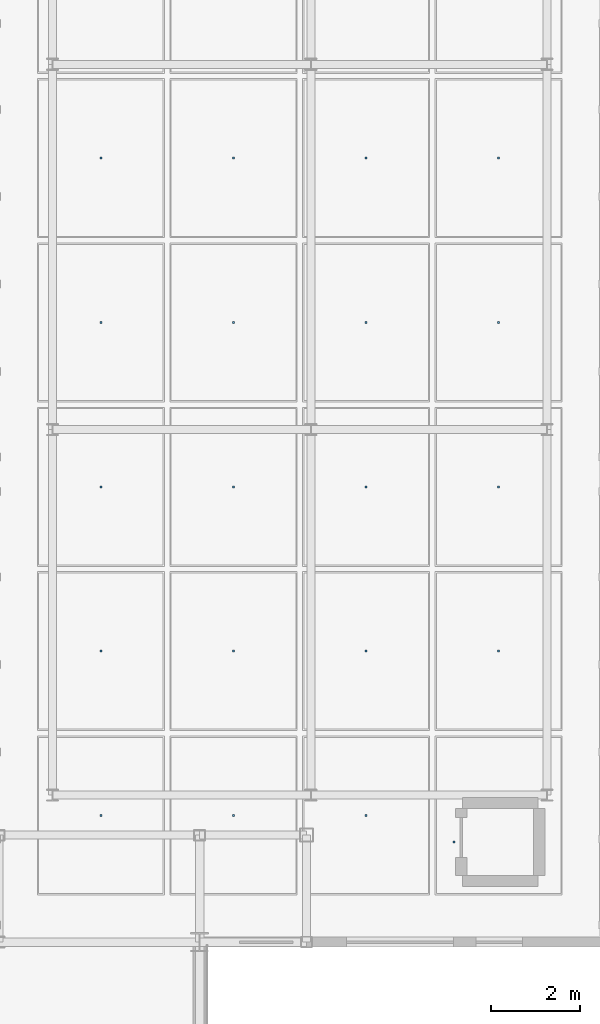
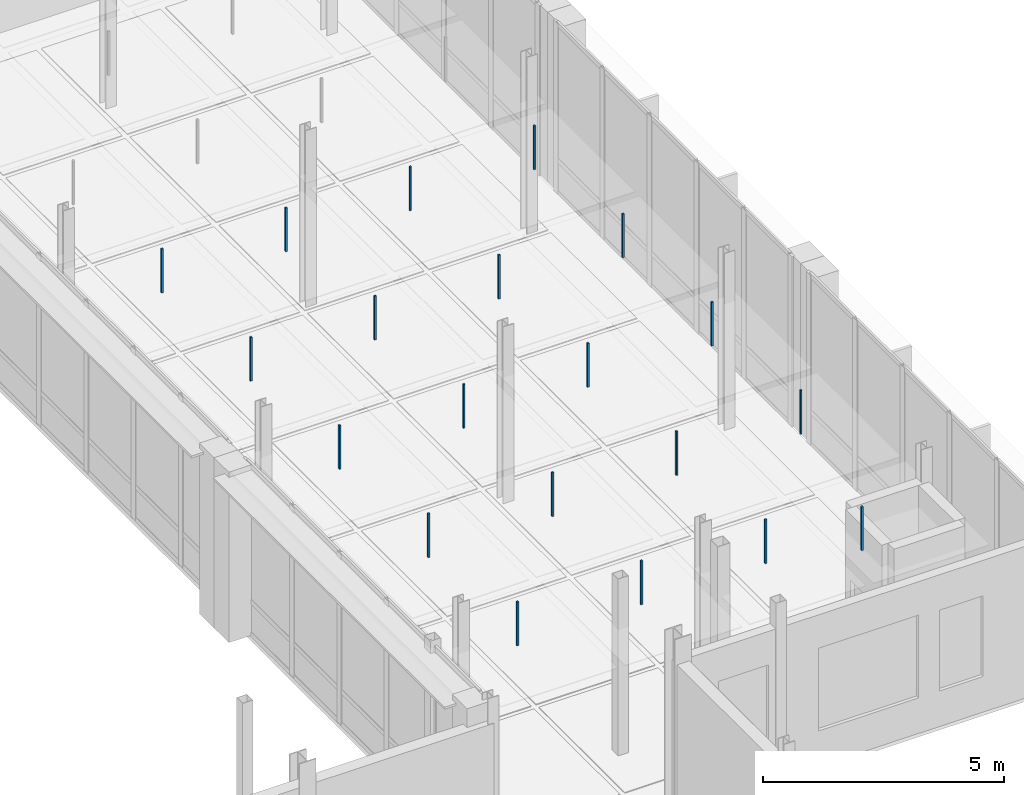
# One storey, part 89 of 130: 20 discrete accessories.
"""IFC4 building model written with IfcOpenShell, lengths in metres."""

import ifcopenshell
import ifcopenshell.guid

model = None  # the IFC model being written
_history = None  # IfcOwnerHistory: only IFC2X3 demands one
_inside = {}  # id of a spatial element -> (the spatial element, [elements in it])
_under = {}  # id of a project, library or spatial element -> (it, [spatial elements below it])
_declared = {}  # id of a project -> (the project, [libraries it declares])
_typed = {}  # id of a type object -> (the type object, [elements of that type])
_made_of = {}  # id of a material, layer set ... -> (it, [elements and type objects made of it])


def new_model(schema):
    """Start an empty IFC model of exactly this schema.

    Asked for "IFC4X3", IfcOpenShell would pick the latest addendum, in which some entities
    have other attributes; the version numbers below select the first issue.
    IFC2X3 requires an IfcOwnerHistory on every rooted entity: one is made here for all.
    """
    global model, _history
    if schema == "IFC4X3":
        model = ifcopenshell.file(schema_version=(4, 3, 0, 0))
    else:
        model = ifcopenshell.file(schema=schema)
    _inside.clear()
    _under.clear()
    _declared.clear()
    _typed.clear()
    _made_of.clear()
    _history = None
    if model.schema == "IFC2X3":
        org = make("IfcOrganization", Name="unknown")
        user = make(
            "IfcPersonAndOrganization",
            ThePerson=make("IfcPerson", FamilyName="unknown"),
            TheOrganization=org,
        )
        app = make(
            "IfcApplication",
            ApplicationDeveloper=org,
            Version="unknown",
            ApplicationFullName="unknown",
            ApplicationIdentifier="unknown",
        )
        _history = make(
            "IfcOwnerHistory",
            OwningUser=user,
            OwningApplication=app,
            ChangeAction="ADDED",
            CreationDate=0,
        )
    return model


def make(cls, **values):
    """One entity of the class cls with the attributes given. An attribute that is None is left unset."""
    return model.create_entity(
        cls, **{name: value for name, value in values.items() if value is not None}
    )


def rooted(cls, **values):
    """An entity with a GlobalId (a new one), such as an element, a storey or a relation."""
    return make(cls, GlobalId=ifcopenshell.guid.new(), OwnerHistory=_history, **values)


def si_unit(unit_type, name, prefix=None):
    """IfcSIUnit, for example si_unit("LENGTHUNIT", "METRE", prefix="MILLI")."""
    return make("IfcSIUnit", UnitType=unit_type, Prefix=prefix, Name=name)


def assignment(units):
    """IfcUnitAssignment: the units of a project."""
    return None if units is None else make("IfcUnitAssignment", Units=units)


def point(xyz):
    """IfcCartesianPoint."""
    return None if xyz is None else make("IfcCartesianPoint", Coordinates=xyz)


def direction(xyz):
    """IfcDirection."""
    return None if xyz is None else make("IfcDirection", DirectionRatios=xyz)


def frame(location, z_axis=None, x_axis=None):
    """IfcAxis2Placement3D, a coordinate frame: its origin and axes. An axis left out is left unset."""
    return make(
        "IfcAxis2Placement3D",
        Location=point(location),
        Axis=direction(z_axis),
        RefDirection=direction(x_axis),
    )


def frame_2d(location, x_axis=None):
    """IfcAxis2Placement2D, a coordinate frame in the plane: its origin and x axis."""
    return make(
        "IfcAxis2Placement2D", Location=point(location), RefDirection=direction(x_axis)
    )


def origin():
    """The frame at (0, 0, 0) with its axes left unset."""
    return frame((0.0, 0.0, 0.0))


def origin_2d():
    """The frame at (0, 0) in the plane with its x axis left unset."""
    return frame_2d((0.0, 0.0))


def place(relative_to, where):
    """IfcLocalPlacement: puts the frame where relative to a parent placement (None: the world)."""
    return make(
        "IfcLocalPlacement", PlacementRelTo=relative_to, RelativePlacement=where
    )


def context(
    kind, dimensions, precision=None, world=None, true_north=None, identifier=None
):
    """IfcGeometricRepresentationContext, for example the 3D "Model" context."""
    return make(
        "IfcGeometricRepresentationContext",
        ContextIdentifier=identifier,
        ContextType=kind,
        CoordinateSpaceDimension=dimensions,
        Precision=precision,
        WorldCoordinateSystem=world,
        TrueNorth=true_north,
    )


def subcontext(parent, identifier, kind, view, scale=None):
    """IfcGeometricRepresentationSubContext, for example "Body" below "Model"."""
    return make(
        "IfcGeometricRepresentationSubContext",
        ContextIdentifier=identifier,
        ContextType=kind,
        ParentContext=parent,
        TargetScale=scale,
        TargetView=view,
    )


def project(units=None, contexts=None):
    """IfcProject with its units and contexts."""
    return rooted(
        "IfcProject",
        Name="project",
        RepresentationContexts=contexts,
        UnitsInContext=assignment(units),
    )


def spatial(cls, under=None, at=None, **own):
    """A site, building, storey or space (cls), placed at a placement, below another one or the project."""
    s = rooted(cls, ObjectPlacement=at, **own)
    if under is not None:
        _under.setdefault(under.id(), (under, []))[1].append(s)
    return s


def profile(cls, at=None, kind="AREA", **sizes):
    """A parametric profile (cls). Its sizes go by their IFC names, for example OverallWidth=200.0."""
    return make(cls, ProfileType=kind, Position=at, **sizes)


def rectangle(**sizes):
    """IfcRectangleProfileDef."""
    return profile("IfcRectangleProfileDef", **sizes)


def extrude(swept, where, along, depth):
    """IfcExtrudedAreaSolid: the profile swept, set in the frame where, extruded along a direction by depth."""
    return make(
        "IfcExtrudedAreaSolid",
        SweptArea=swept,
        Position=where,
        ExtrudedDirection=direction(along),
        Depth=depth,
    )


def shape(context_of_items, identifier, shape_type, items):
    """IfcShapeRepresentation: the items that make up one representation, for example the "Body"."""
    return make(
        "IfcShapeRepresentation",
        ContextOfItems=context_of_items,
        RepresentationIdentifier=identifier,
        RepresentationType=shape_type,
        Items=items,
    )


def material(Name=None, Category=None):
    """IfcMaterial."""
    return make("IfcMaterial", Name=Name, Category=Category)


def made_of(thing, what):
    """Note that an element or type object is made of a material, layer set ...; save() writes the relation."""
    if what is not None:
        _made_of.setdefault(what.id(), (what, []))[1].append(thing)
    return thing


def type_object(cls, material=None, **own):
    """A type object (cls), such as IfcWallType, which elements share."""
    return made_of(rooted(cls, **own), material)


def element(
    cls,
    number,
    at=None,
    inside=None,
    cuts=None,
    type_object=None,
    material=None,
    context=None,
    identifier="Body",
    shape_type=None,
    held_by="IfcProductDefinitionShape",
    body=None,
    shapes=None,
    **own,
):
    """One element of the class cls, such as IfcWall. Its Tag is "e" and its number.

    at: its placement. inside: the storey or other place that contains it. cuts: it is an
    opening in that element (IfcRelVoidsElement). A single representation is given by context,
    identifier, shape_type and body (its items); several are given by shapes. held_by: the class
    of the entity that holds the representations. save() writes the other relations.
    """
    e = rooted(cls, Tag="e%d" % number, ObjectPlacement=at, **own)
    if body is not None:
        shapes = [shape(context, identifier, shape_type, body)]
    if shapes is not None:
        e.Representation = make(held_by, Representations=shapes)
    if inside is not None:
        _inside.setdefault(inside.id(), (inside, []))[1].append(e)
    if cuts is not None:
        rooted(
            "IfcRelVoidsElement", RelatingBuildingElement=cuts, RelatedOpeningElement=e
        )
    if type_object is not None:
        _typed.setdefault(type_object.id(), (type_object, []))[1].append(e)
    return made_of(e, material)


def aggregate(whole, parts):
    """IfcRelAggregates: a whole, such as a stair, and the parts it consists of."""
    return rooted("IfcRelAggregates", RelatingObject=whole, RelatedObjects=parts)


def save(model, path):
    """Write the relations noted so far, then the file.

    IfcRelAggregates (storeys below a building ...), IfcRelContainedInSpatialStructure (elements
    in a storey), IfcRelDefinesByType, IfcRelAssociatesMaterial and IfcRelDeclares: one each for
    every whole, place, type object, material and project.
    """
    for whole, parts in _under.values():
        aggregate(whole, parts)
    for where, things in _inside.values():
        rooted(
            "IfcRelContainedInSpatialStructure",
            RelatedElements=things,
            RelatingStructure=where,
        )
    for kind, things in _typed.values():
        rooted("IfcRelDefinesByType", RelatedObjects=things, RelatingType=kind)
    for what, things in _made_of.values():
        rooted("IfcRelAssociatesMaterial", RelatedObjects=things, RelatingMaterial=what)
    for by, libraries in _declared.values():
        rooted("IfcRelDeclares", RelatingContext=by, RelatedDefinitions=libraries)
    model.write(path)


model = new_model("IFC4")

# Units and contexts
model_context = context("Model", 3, precision=1e-05, world=origin(), true_north=direction((0.0, 1.0)))
body_context = subcontext(model_context, "Body", "Model", "MODEL_VIEW")
ifc_project = project(units=[si_unit("LENGTHUNIT", "METRE"), si_unit("AREAUNIT", "SQUARE_METRE"), si_unit("VOLUMEUNIT", "CUBIC_METRE"), si_unit("PLANEANGLEUNIT", "RADIAN"), si_unit("MASSUNIT", "GRAM", prefix="KILO"), si_unit("THERMODYNAMICTEMPERATUREUNIT", "KELVIN"), si_unit("POWERUNIT", "WATT")], contexts=[model_context])

# Site, building, storey
site_placement = place(None, origin())
site = spatial("IfcSite", under=ifc_project, at=site_placement, CompositionType="ELEMENT")
building_placement = place(site_placement, origin())
building = spatial("IfcBuilding", under=site, at=building_placement, Name="Tallowbark Science Centre", CompositionType="ELEMENT")
storey_placement = place(building_placement, frame((0.0, 0.0, 5.39990234375)))
storey = spatial("IfcBuildingStorey", under=building, at=storey_placement, Name="L01", CompositionType="ELEMENT", Elevation=5.39990234375)

# Discrete accessories
ifc_material = material(Name="Galvanised Steel Grade C350L0 (350 MPa)", Category="steel")
discrete_accessory_type = type_object("IfcDiscreteAccessoryType", Name="ACC-CLG-HNG", PredefinedType="BRACKET", material=ifc_material)
for number, where, z_axis, x_axis, name in (
    (1, (101.28759765625, 43.34375, 3.20947265625), (0.0, 0.0, 1.0), (1.0, 0.0, 0.0), "Ceiling Hanger Bracket L01-563"),
    (2, (101.28759765625, 47.03125, 3.20947265625), (0.0, 0.0, 1.0), (1.0, 0.0, 0.0), "Ceiling Hanger Bracket L01-564"),
    (3, (101.28759765625, 50.71875, 3.20947265625), (0.0, 0.0, 1.0), (1.0, 0.0, 0.0), "Ceiling Hanger Bracket L01-565"),
    (4, (101.28759765625, 54.40625, 3.20947265625), (0.0, 0.0, 1.0), (1.0, 0.0, 0.0), "Ceiling Hanger Bracket L01-566"),
    (5, (101.28759765625, 58.09375, 3.20947265625), (0.0, 0.0, 1.0), (1.0, 0.0, 0.0), "Ceiling Hanger Bracket L01-567"),
    (6, (104.262451171875, 43.34375, 3.20947265625), (0.0, 0.0, 1.0), (1.0, 0.0, 0.0), "Ceiling Hanger Bracket L01-571"),
    (7, (104.262451171875, 47.03125, 3.20947265625), (0.0, 0.0, 1.0), (1.0, 0.0, 0.0), "Ceiling Hanger Bracket L01-572"),
    (8, (104.262451171875, 50.71875, 3.20947265625), (0.0, 0.0, 1.0), (1.0, 0.0, 0.0), "Ceiling Hanger Bracket L01-573"),
    (9, (104.262451171875, 54.40625, 3.20947265625), (0.0, 0.0, 1.0), (1.0, 0.0, 0.0), "Ceiling Hanger Bracket L01-574"),
    (10, (104.262451171875, 58.09375, 3.20947265625), (0.0, 0.0, 1.0), (1.0, 0.0, 0.0), "Ceiling Hanger Bracket L01-575"),
    (11, (107.237548828125, 43.34375, 3.20947265625), (0.0, 0.0, 1.0), (1.0, 0.0, 0.0), "Ceiling Hanger Bracket L01-579"),
    (12, (107.237548828125, 47.03125, 3.20947265625), (0.0, 0.0, 1.0), (1.0, 0.0, 0.0), "Ceiling Hanger Bracket L01-580"),
    (13, (107.237548828125, 50.71875, 3.20947265625), (0.0, 0.0, 1.0), (1.0, 0.0, 0.0), "Ceiling Hanger Bracket L01-581"),
    (14, (107.237548828125, 54.40625, 3.20947265625), (0.0, 0.0, 1.0), (1.0, 0.0, 0.0), "Ceiling Hanger Bracket L01-582"),
    (15, (107.237548828125, 58.09375, 3.20947265625), (0.0, 0.0, 1.0), (1.0, 0.0, 0.0), "Ceiling Hanger Bracket L01-583"),
    (16, (109.20751953125, 42.75, 3.20947265625), (0.0, 0.0, 1.0), (1.0, 0.0, 0.0), "Ceiling Hanger Bracket L01-587"),
    (17, (110.21240234375, 47.03125, 3.20947265625), (0.0, 0.0, 1.0), (1.0, 0.0, 0.0), "Ceiling Hanger Bracket L01-588"),
    (18, (110.21240234375, 50.71875, 3.20947265625), (0.0, 0.0, 1.0), (1.0, 0.0, 0.0), "Ceiling Hanger Bracket L01-589"),
    (19, (110.21240234375, 54.40625, 3.20947265625), (0.0, 0.0, 1.0), (1.0, 0.0, 0.0), "Ceiling Hanger Bracket L01-590"),
    (20, (110.21240234375, 58.09375, 3.20947265625), (0.0, 0.0, 1.0), (1.0, 0.0, 0.0), "Ceiling Hanger Bracket L01-591"),
):
    element("IfcDiscreteAccessory", number, at=place(storey_placement, frame(where, z_axis=z_axis, x_axis=x_axis)), inside=storey, type_object=discrete_accessory_type, Name=name, PredefinedType="BRACKET", context=body_context, shape_type="SweptSolid", body=[
        extrude(rectangle(XDim=0.044921875, YDim=0.044921875, at=origin_2d()), origin(), (0.0, 0.0, 1.0), 1.113525390625),
    ])

save(model, "model.ifc")
